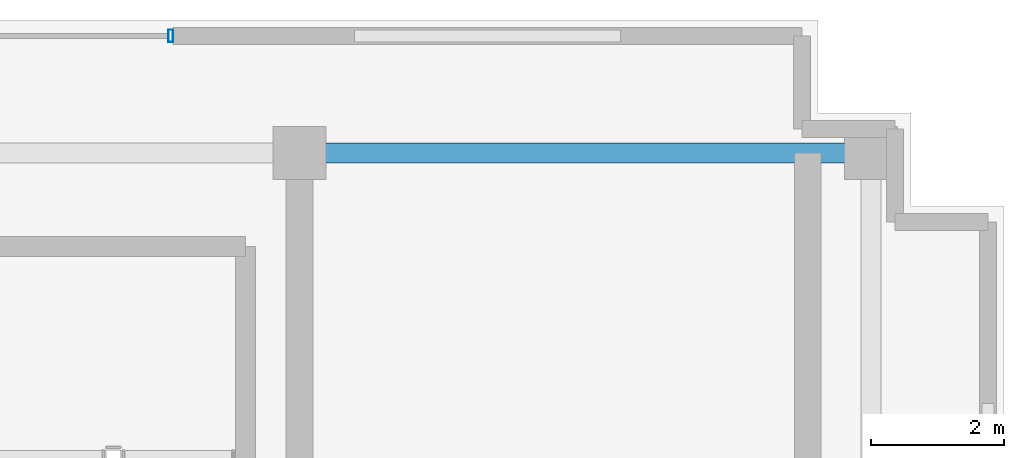
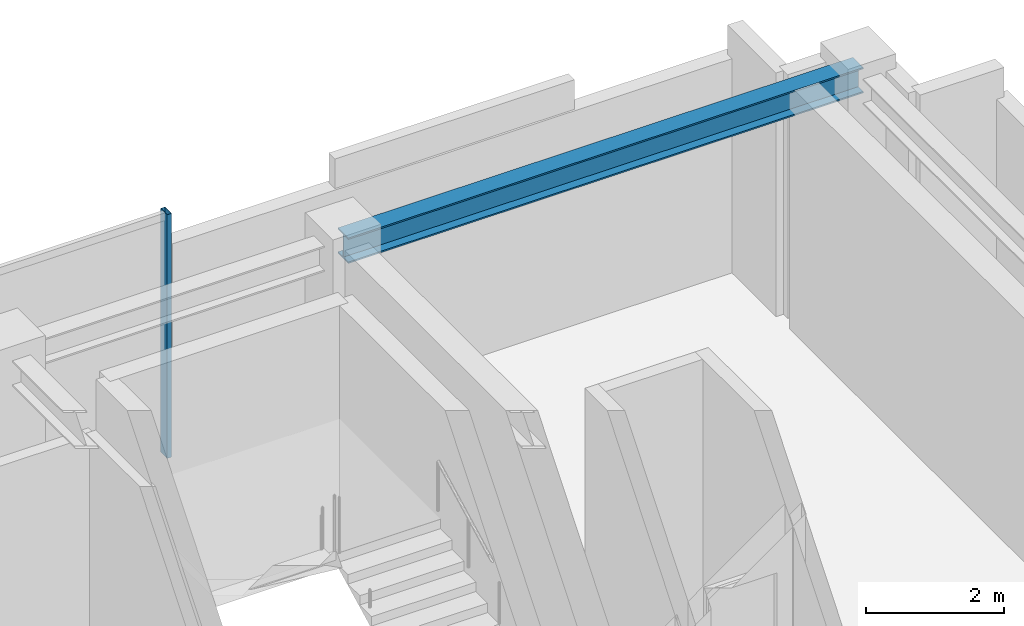
# One storey, part 13 of 18: 1 beam, 1 member, 1 element without a shape of its own.
"""IFC4 building model written with IfcOpenShell, lengths in metres."""

from ifc_helpers import new_model, si_unit, direction, frame, origin, origin_2d, place, context, subcontext, project, spatial, hollow_rectangle, i_section, extrude, source, transform, mapped, material, material_profile, profile_set, type_object, element, aggregate, save


model = new_model("IFC4")

# Units and contexts
model_context = context("Model", 3, precision=1e-05, world=origin(), true_north=direction((0.0, 1.0)))
body_context = subcontext(model_context, "Body", "Model", "MODEL_VIEW")
ifc_project = project(units=[si_unit("LENGTHUNIT", "METRE"), si_unit("AREAUNIT", "SQUARE_METRE"), si_unit("VOLUMEUNIT", "CUBIC_METRE"), si_unit("PLANEANGLEUNIT", "RADIAN"), si_unit("MASSUNIT", "GRAM", prefix="KILO")], contexts=[model_context])

# Site, building, storey
site_placement = place(None, origin())
site = spatial("IfcSite", under=ifc_project, at=site_placement, CompositionType="ELEMENT")
building_placement = place(site_placement, origin())
building = spatial("IfcBuilding", under=site, at=building_placement, Name="Nahalor Promenade Grand Hotel", CompositionType="ELEMENT")
storey_placement = place(building_placement, frame((0.0, 0.0, 366.25)))
storey = spatial("IfcBuildingStorey", under=building, at=storey_placement, Name="L93", CompositionType="ELEMENT", Elevation=366.25)

# Beam
ifc_material_1 = material(Name="Steel S355JR", Category="steel")
ifc_material_profile_1 = material_profile(ifc_material_1, i_section(OverallWidth=0.3, OverallDepth=0.45, WebThickness=0.014, FlangeThickness=0.026, at=origin_2d()), Name="HEB 450")
ifc_profile_set_1 = profile_set([ifc_material_profile_1], Name="Steel S355JR")
beam_type = type_object("IfcBeamType", Name="Beam-Girder-HEB450", PredefinedType="BEAM", material=ifc_profile_set_1)
shared_shape_1 = source(origin(), body_context, "Body", "SweptSolid", [
    extrude(i_section(OverallWidth=0.3, OverallDepth=0.45, WebThickness=0.014, FlangeThickness=0.026, at=origin_2d()), origin(), (0.0, 0.0, 1.0), 8.60009765625),
])
beam_placement = place(storey_placement, frame((8.39990234375, 17.0, 4.074951171875), z_axis=(1.0, 0.0, 0.0), x_axis=(0.0, 1.0, 0.0)))
element("IfcBeam", 1, at=beam_placement, inside=storey, type_object=beam_type, Name="BM-L93-GX-3-4", PredefinedType="BEAM", context=body_context, shape_type="MappedRepresentation", body=[
    mapped(shared_shape_1, transform((0.0, 0.0, 0.0), scale=1.0)),
])

# Curtain wall, member
ifc_material_2 = material(Name="Anodised Bronze Aluminium EN AW-6063 T6", Category="aluminium")
curtain_wall_type = type_object("IfcCurtainWallType", Name="CW6 Crown Botanical Conservatory Curtain Wall", PredefinedType="USERDEFINED", material=ifc_material_2)
curtain_wall_placement = place(storey_placement, origin())
curtain_wall = element("IfcCurtainWall", 2, at=curtain_wall_placement, inside=storey, type_object=curtain_wall_type, Name="L93 Curtain Wall CW-L93-N", ObjectType="UNITISED_CURTAIN_WALL", PredefinedType="USERDEFINED")
ifc_material_profile_2 = material_profile(ifc_material_2, hollow_rectangle(XDim=0.075, YDim=0.19, WallThickness=0.005, at=origin_2d()), Name="CWM 75x190x5")
ifc_profile_set_2 = profile_set([ifc_material_profile_2], Name="Anodised Bronze Aluminium EN AW-6063 T6")
member_type = type_object("IfcMemberType", Name="CWM6 Conservatory Bronze Mullion 75x190", PredefinedType="MULLION", material=ifc_profile_set_2)
shared_shape_2 = source(origin(), body_context, "Body", "SweptSolid", [
    extrude(hollow_rectangle(XDim=0.075, YDim=0.19, WallThickness=0.005, at=origin_2d()), origin(), (0.0, 0.0, 1.0), 4.300048828125),
])
member_placement = place(storey_placement, frame((6.46240234375, 18.760009765625, 0.0), z_axis=(0.0, 0.0, 1.0), x_axis=(1.0, 0.0, 0.0)))
member = element("IfcMember", 3, at=member_placement, type_object=member_type, Name="CW-L93-N Mullion 2", PredefinedType="MULLION", context=body_context, shape_type="MappedRepresentation", body=[
    mapped(shared_shape_2, transform((0.0, 0.0, 0.0), scale=1.0)),
])
aggregate(curtain_wall, [member])

save(model, "model.ifc")
